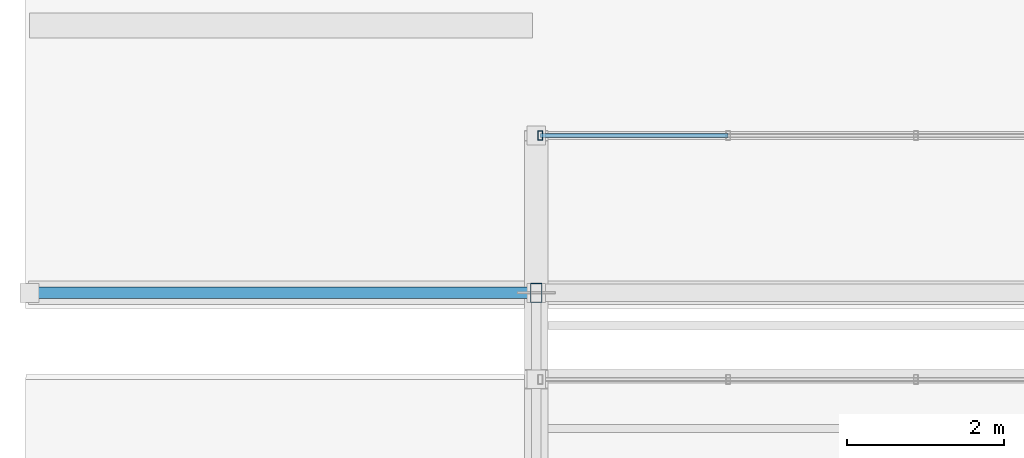
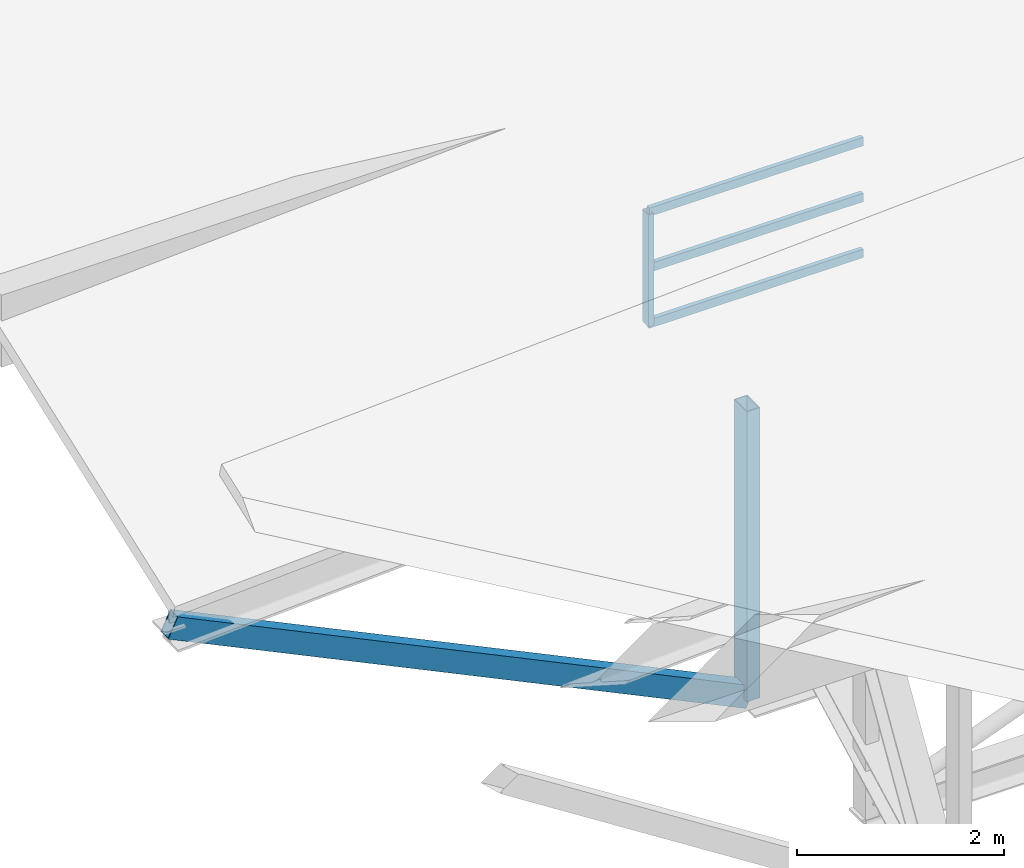
# One storey, part 99 of 141: 6 members, 1 element without a shape of its own.
"""IFC4 building model written with IfcOpenShell, lengths in metres."""

from ifc_helpers import new_model, si_unit, direction, frame, origin, origin_2d, place, context, subcontext, project, spatial, hollow_rectangle, extrude, material, material_profile, profile_set, type_object, element, aggregate, save


model = new_model("IFC4")

# Units and contexts
model_context = context("Model", 3, precision=1e-05, world=origin(), true_north=direction((0.0, 1.0)))
body_context = subcontext(model_context, "Body", "Model", "MODEL_VIEW")
ifc_project = project(units=[si_unit("LENGTHUNIT", "METRE"), si_unit("AREAUNIT", "SQUARE_METRE"), si_unit("VOLUMEUNIT", "CUBIC_METRE"), si_unit("PLANEANGLEUNIT", "RADIAN"), si_unit("MASSUNIT", "GRAM", prefix="KILO")], contexts=[model_context])

# Site, building, storey
site_placement = place(None, origin())
site = spatial("IfcSite", under=ifc_project, at=site_placement, CompositionType="ELEMENT")
building_placement = place(site_placement, origin())
building = spatial("IfcBuilding", under=site, at=building_placement, Name="Sundkrona Museum", CompositionType="ELEMENT")
storey_placement = place(building_placement, frame((0.0, 0.0, 34.0)))
storey = spatial("IfcBuildingStorey", under=building, at=storey_placement, Name="RF", CompositionType="ELEMENT", Elevation=34.0)

# Curtain wall, member
ifc_material_1 = material(Name="Unitised Aluminium-Steel and Ceramic-Clad Curtain Walling", Category="steel")
curtain_wall_type = type_object("IfcCurtainWallType", Name="CW-SW-240x13", PredefinedType="NOTDEFINED", material=ifc_material_1)
curtain_wall_placement = place(storey_placement, origin())
curtain_wall = element("IfcCurtainWall", 1, at=curtain_wall_placement, inside=storey, type_object=curtain_wall_type, Name="Sawtooth Bay 7 West North-Light Clerestory", PredefinedType="NOTDEFINED")
ifc_material_2 = material(Name="Aluminium EN AW-6060 T66", Category="aluminium")
ifc_material_profile_1 = material_profile(ifc_material_2, hollow_rectangle(XDim=0.06005859375, YDim=0.1201171875, WallThickness=0.0048828125, at=origin_2d()), Name="RHS 120x60x5.0")
ifc_profile_set_1 = profile_set([ifc_material_profile_1], Name="Aluminium EN AW-6060 T66")
member_type_1 = type_object("IfcMemberType", Name="ML-120", PredefinedType="MULLION", material=ifc_profile_set_1)
member_1_placement = place(storey_placement, frame((120.050048828125, 45.800048828125, 2.89306640625), z_axis=(0.0, 0.0, 1.0), x_axis=(1.0, 0.0, 0.0)))
member_1 = element("IfcMember", 2, at=member_1_placement, type_object=member_type_1, Name="CW-RF-SAW-07W Mullion 01", PredefinedType="MULLION", context=body_context, shape_type="SweptSolid", body=[
    extrude(hollow_rectangle(XDim=0.06005859375, YDim=0.1201171875, WallThickness=0.0048828125, at=origin_2d()), origin(), (0.0, 0.0, 1.0), 1.31982421875),
])

# Members
ifc_material_3 = material(Name="Steel S355J2", Category="steel")
ifc_material_profile_2 = material_profile(ifc_material_3, hollow_rectangle(XDim=0.14990234375, YDim=0.25, WallThickness=0.010009765625, at=origin_2d()), Name="RHS 250x150x10.0")
ifc_profile_set_2 = profile_set([ifc_material_profile_2], Name="Steel S355J2")
member_type_2 = type_object("IfcMemberType", Name="ST-RHS250", PredefinedType="STRUT", material=ifc_profile_set_2)
member_2_placement = place(storey_placement, frame((120.0, 43.800048828125, -0.25), z_axis=(-0.902588159748, 0.0, 0.430505068359), x_axis=(0.0, -1.0, 0.0)))
element("IfcMember", 3, at=member_2_placement, inside=storey, type_object=member_type_2, Name="RFS-1 Sawtooth Truss 7 West Knee Strut", PredefinedType="STRUT", context=body_context, shape_type="SweptSolid", body=[
    extrude(hollow_rectangle(XDim=0.14990234375, YDim=0.25, WallThickness=0.010009765625, at=origin_2d()), origin(), (0.0, 0.0, 1.0), 7.14599609375),
])
member_3_placement = place(storey_placement, frame((120.0, 43.800048828125, -0.25), z_axis=(0.0, 0.0, 1.0), x_axis=(1.0, 0.0, 0.0)))
element("IfcMember", 4, at=member_3_placement, inside=storey, type_object=member_type_2, Name="RFS-1 Sawtooth Truss 7 Vertical Post 1", PredefinedType="STRUT", context=body_context, shape_type="SweptSolid", body=[
    extrude(hollow_rectangle(XDim=0.14990234375, YDim=0.25, WallThickness=0.010009765625, at=origin_2d()), origin(), (0.0, 0.0, 1.0), 3.42529296875),
])

# Member
ifc_material_profile_3 = material_profile(ifc_material_2, hollow_rectangle(XDim=0.050048828125, YDim=0.10009765625, WallThickness=0.0048828125, at=origin_2d()), Name="RHS 100x50x5.0")
ifc_profile_set_3 = profile_set([ifc_material_profile_3], Name="Aluminium EN AW-6060 T66")
member_type_3 = type_object("IfcMemberType", Name="TR-100", PredefinedType="USERDEFINED", material=ifc_profile_set_3)
member_4_placement = place(storey_placement, frame((120.050048828125, 45.800048828125, 2.89306640625), z_axis=(1.0, 0.0, 0.0), x_axis=(0.0, 1.0, 0.0)))
member_4 = element("IfcMember", 5, at=member_4_placement, type_object=member_type_3, Name="CW-RF-SAW-07W Transom 01", ObjectType="TRANSOM", PredefinedType="USERDEFINED", context=body_context, shape_type="SweptSolid", body=[
    extrude(hollow_rectangle(XDim=0.050048828125, YDim=0.10009765625, WallThickness=0.0048828125, at=origin_2d()), origin(), (0.0, 0.0, 1.0), 2.389892578125),
])

member_5_placement = place(storey_placement, frame((120.050048828125, 45.800048828125, 3.552978515625), z_axis=(1.0, 0.0, 0.0), x_axis=(0.0, 1.0, 0.0)))
member_5 = element("IfcMember", 6, at=member_5_placement, type_object=member_type_3, Name="CW-RF-SAW-07W Transom 02", ObjectType="TRANSOM", PredefinedType="USERDEFINED", context=body_context, shape_type="SweptSolid", body=[
    extrude(hollow_rectangle(XDim=0.050048828125, YDim=0.10009765625, WallThickness=0.0048828125, at=origin_2d()), origin(), (0.0, 0.0, 1.0), 2.389892578125),
])

member_6_placement = place(storey_placement, frame((120.050048828125, 45.800048828125, 4.212890625), z_axis=(1.0, 0.0, 0.0), x_axis=(0.0, 1.0, 0.0)))
member_6 = element("IfcMember", 7, at=member_6_placement, type_object=member_type_3, Name="CW-RF-SAW-07W Transom 03", ObjectType="TRANSOM", PredefinedType="USERDEFINED", context=body_context, shape_type="SweptSolid", body=[
    extrude(hollow_rectangle(XDim=0.050048828125, YDim=0.10009765625, WallThickness=0.0048828125, at=origin_2d()), origin(), (0.0, 0.0, 1.0), 2.389892578125),
])

aggregate(curtain_wall, [member_1, member_4, member_5, member_6])

save(model, "model.ifc")
